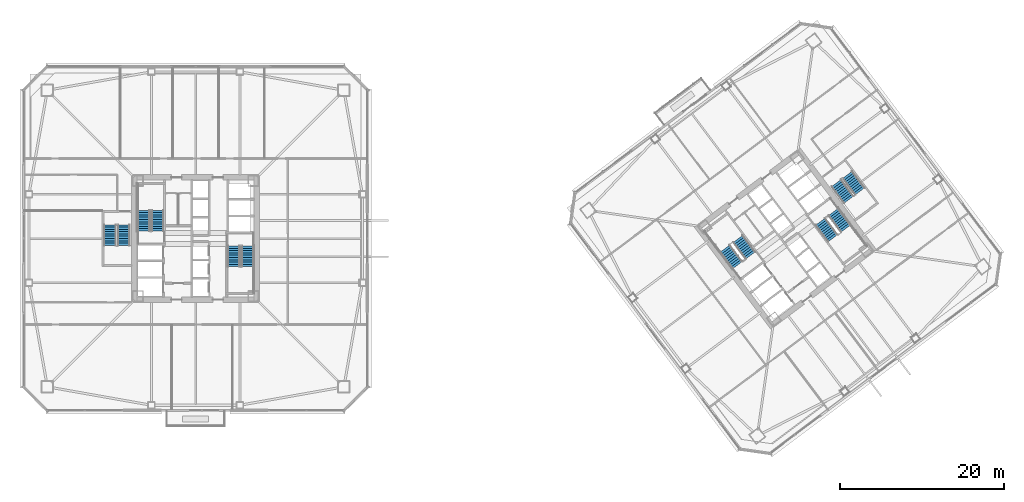
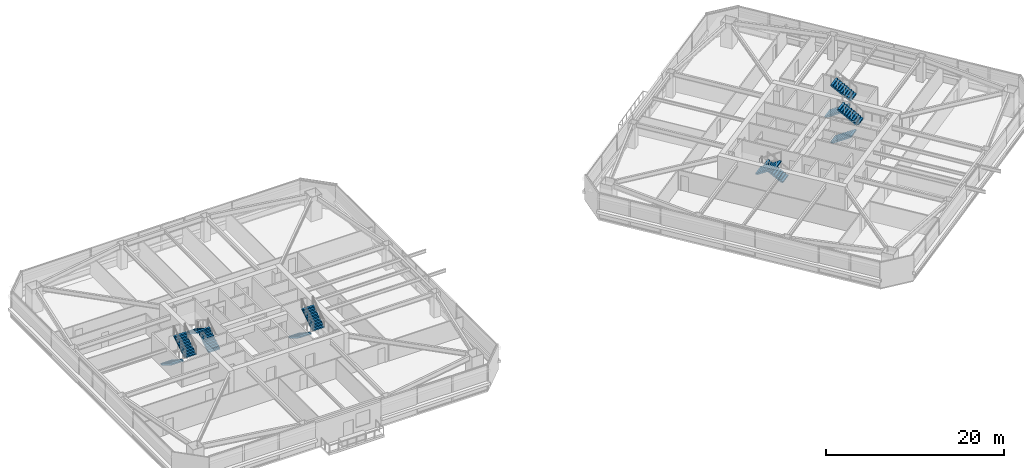
# One storey, part 37 of 44: 12 stair flights, 6 elements without a shape of their own.
"""IFC4 building model written with IfcOpenShell, lengths in metres."""

from ifc_helpers import new_model, si_unit, direction, frame, origin, place, context, subcontext, project, spatial, polyline, outline, extrude, material, type_object, element, aggregate, save


model = new_model("IFC4")

# Units and contexts
model_context = context("Model", 3, precision=1e-05, world=origin(), true_north=direction((0.0, 1.0)))
body_context = subcontext(model_context, "Body", "Model", "MODEL_VIEW")
ifc_project = project(units=[si_unit("LENGTHUNIT", "METRE"), si_unit("AREAUNIT", "SQUARE_METRE"), si_unit("VOLUMEUNIT", "CUBIC_METRE"), si_unit("PLANEANGLEUNIT", "RADIAN"), si_unit("MASSUNIT", "GRAM", prefix="KILO")], contexts=[model_context])

# Site, building, storey
site_placement = place(None, origin())
site = spatial("IfcSite", under=ifc_project, at=site_placement, CompositionType="ELEMENT")
building_placement = place(site_placement, origin())
building = spatial("IfcBuilding", under=site, at=building_placement, Name="Tashvorn Skyway Center", CompositionType="ELEMENT")
storey_placement = place(building_placement, frame((0.0, 0.0, 95.60009765625)))
storey = spatial("IfcBuildingStorey", under=building, at=storey_placement, Name="L25", CompositionType="ELEMENT", Elevation=95.60009765625)

# Stair, stair flights
ifc_material = material(Name="Concrete C40/50", Category="concrete")
stair_type = type_object("IfcStairType", Name="STAIR-CORE-1500", PredefinedType="HALF_TURN_STAIR", material=ifc_material)
stair_1_placement = place(storey_placement, origin())
stair_1 = element("IfcStair", 1, at=stair_1_placement, inside=storey, type_object=stair_type, Name="L25 Tower 1 Exit Stair 1", PredefinedType="HALF_TURN_STAIR")
stair_flight_type = type_object("IfcStairFlightType", Name="SFLIGHT-1500", PredefinedType="STRAIGHT", material=ifc_material)
stair_flight_1_placement = place(storey_placement, frame((37.35009765625, 32.919921875, 0.0), z_axis=(0.0, 0.0, 1.0), x_axis=(0.0, 1.0, 0.0)))
stair_flight_1 = element("IfcStairFlight", 2, at=stair_flight_1_placement, type_object=stair_flight_type, Name="ST-T1-1 flight 1", NumberOfRisers=10, NumberOfTreads=9, PredefinedType="STRAIGHT", RiserHeight=0.1775, TreadLength=0.28, context=body_context, shape_type="SweptSolid", body=[
    extrude(outline(polyline([(0.0, 0.0), (0.0, 0.177490234375), (0.280029296875, 0.177490234375), (0.280029296875, 0.35498046875), (0.56005859375, 0.35498046875), (0.56005859375, 0.532470703125), (0.840087890625, 0.532470703125), (0.840087890625, 0.7099609375), (1.1201171875, 0.7099609375), (1.1201171875, 0.887451171875), (1.39990234375, 0.887451171875), (1.39990234375, 1.06494140625), (1.679931640625, 1.06494140625), (1.679931640625, 1.242431640625), (1.9599609375, 1.242431640625), (1.9599609375, 1.419921875), (2.239990234375, 1.419921875), (2.239990234375, 1.597412109375), (2.52001953125, 1.597412109375), (2.52001953125, 1.77490234375), (2.52001953125, 1.419921875), (0.280029296875, 0.0), (0.0, 0.0)])), frame((0.0, 0.75, 0.0), z_axis=(0.0, -1.0, 0.0), x_axis=(1.0, 0.0, 0.0)), (0.0, 0.0, 1.0), 1.5),
])
stair_flight_2_placement = place(storey_placement, frame((35.64990234375, 35.43994140625, 1.77490234375), z_axis=(0.0, 0.0, 1.0), x_axis=(0.0, -1.0, 0.0)))
stair_flight_2 = element("IfcStairFlight", 3, at=stair_flight_2_placement, type_object=stair_flight_type, Name="ST-T1-1 flight 2", NumberOfRisers=10, NumberOfTreads=9, PredefinedType="STRAIGHT", RiserHeight=0.1775, TreadLength=0.28, context=body_context, shape_type="SweptSolid", body=[
    extrude(outline(polyline([(0.0, 0.0), (0.0, 0.177490234375), (0.280029296875, 0.177490234375), (0.280029296875, 0.35498046875), (0.56005859375, 0.35498046875), (0.56005859375, 0.532470703125), (0.840087890625, 0.532470703125), (0.840087890625, 0.7099609375), (1.1201171875, 0.7099609375), (1.1201171875, 0.887451171875), (1.39990234375, 0.887451171875), (1.39990234375, 1.06494140625), (1.679931640625, 1.06494140625), (1.679931640625, 1.242431640625), (1.9599609375, 1.242431640625), (1.9599609375, 1.419921875), (2.239990234375, 1.419921875), (2.239990234375, 1.597412109375), (2.52001953125, 1.597412109375), (2.52001953125, 1.77490234375), (2.52001953125, 1.419921875), (0.280029296875, 0.0), (0.0, 0.0)])), frame((0.0, 0.75, 0.0), z_axis=(0.0, -1.0, 0.0), x_axis=(1.0, 0.0, 0.0)), (0.0, 0.0, 1.0), 1.5),
])
aggregate(stair_1, [stair_flight_1, stair_flight_2])

stair_2_placement = place(storey_placement, origin())
stair_2 = element("IfcStair", 4, at=stair_2_placement, inside=storey, type_object=stair_type, Name="L25 Tower 1 Exit Stair 2", PredefinedType="HALF_TURN_STAIR")
stair_flight_3_placement = place(storey_placement, frame((46.64990234375, 31.080078125, 0.0), z_axis=(0.0, 0.0, 1.0), x_axis=(0.0, -1.0, 0.0)))
stair_flight_3 = element("IfcStairFlight", 5, at=stair_flight_3_placement, type_object=stair_flight_type, Name="ST-T1-2 flight 1", NumberOfRisers=10, NumberOfTreads=9, PredefinedType="STRAIGHT", RiserHeight=0.1775, TreadLength=0.28, context=body_context, shape_type="SweptSolid", body=[
    extrude(outline(polyline([(0.0, 0.0), (0.0, 0.177490234375), (0.280029296875, 0.177490234375), (0.280029296875, 0.35498046875), (0.56005859375, 0.35498046875), (0.56005859375, 0.532470703125), (0.840087890625, 0.532470703125), (0.840087890625, 0.7099609375), (1.1201171875, 0.7099609375), (1.1201171875, 0.887451171875), (1.39990234375, 0.887451171875), (1.39990234375, 1.06494140625), (1.679931640625, 1.06494140625), (1.679931640625, 1.242431640625), (1.9599609375, 1.242431640625), (1.9599609375, 1.419921875), (2.239990234375, 1.419921875), (2.239990234375, 1.597412109375), (2.52001953125, 1.597412109375), (2.52001953125, 1.77490234375), (2.52001953125, 1.419921875), (0.280029296875, 0.0), (0.0, 0.0)])), frame((0.0, 0.75, 0.0), z_axis=(0.0, -1.0, 0.0), x_axis=(1.0, 0.0, 0.0)), (0.0, 0.0, 1.0), 1.5),
])
stair_flight_4_placement = place(storey_placement, frame((48.35009765625, 28.56005859375, 1.77490234375), z_axis=(0.0, 0.0, 1.0), x_axis=(0.0, 1.0, 0.0)))
stair_flight_4 = element("IfcStairFlight", 6, at=stair_flight_4_placement, type_object=stair_flight_type, Name="ST-T1-2 flight 2", NumberOfRisers=10, NumberOfTreads=9, PredefinedType="STRAIGHT", RiserHeight=0.1775, TreadLength=0.28, context=body_context, shape_type="SweptSolid", body=[
    extrude(outline(polyline([(0.0, 0.0), (0.0, 0.177490234375), (0.280029296875, 0.177490234375), (0.280029296875, 0.35498046875), (0.56005859375, 0.35498046875), (0.56005859375, 0.532470703125), (0.840087890625, 0.532470703125), (0.840087890625, 0.7099609375), (1.1201171875, 0.7099609375), (1.1201171875, 0.887451171875), (1.39990234375, 0.887451171875), (1.39990234375, 1.06494140625), (1.679931640625, 1.06494140625), (1.679931640625, 1.242431640625), (1.9599609375, 1.242431640625), (1.9599609375, 1.419921875), (2.239990234375, 1.419921875), (2.239990234375, 1.597412109375), (2.52001953125, 1.597412109375), (2.52001953125, 1.77490234375), (2.52001953125, 1.419921875), (0.280029296875, 0.0), (0.0, 0.0)])), frame((0.0, 0.75, 0.0), z_axis=(0.0, -1.0, 0.0), x_axis=(1.0, 0.0, 0.0)), (0.0, 0.0, 1.0), 1.5),
])
aggregate(stair_2, [stair_flight_3, stair_flight_4])

stair_3_placement = place(storey_placement, origin())
stair_3 = element("IfcStair", 7, at=stair_3_placement, inside=storey, type_object=stair_type, Name="L25 Tower 2 Exit Stair 1", PredefinedType="HALF_TURN_STAIR")
stair_flight_5_placement = place(storey_placement, frame((109.72802734375, 29.946044921875, 0.0), z_axis=(0.0, 0.0, 1.0), x_axis=(-0.600000004945, 0.799999996291, 0.0)))
stair_flight_5 = element("IfcStairFlight", 8, at=stair_flight_5_placement, type_object=stair_flight_type, Name="ST-T2-1 flight 1", NumberOfRisers=10, NumberOfTreads=9, PredefinedType="STRAIGHT", RiserHeight=0.1775, TreadLength=0.28, context=body_context, shape_type="SweptSolid", body=[
    extrude(outline(polyline([(0.0, 0.0), (0.0, 0.177490234375), (0.280029296875, 0.177490234375), (0.280029296875, 0.35498046875), (0.56005859375, 0.35498046875), (0.56005859375, 0.532470703125), (0.840087890625, 0.532470703125), (0.840087890625, 0.7099609375), (1.1201171875, 0.7099609375), (1.1201171875, 0.887451171875), (1.39990234375, 0.887451171875), (1.39990234375, 1.06494140625), (1.679931640625, 1.06494140625), (1.679931640625, 1.242431640625), (1.9599609375, 1.242431640625), (1.9599609375, 1.419921875), (2.239990234375, 1.419921875), (2.239990234375, 1.597412109375), (2.52001953125, 1.597412109375), (2.52001953125, 1.77490234375), (2.52001953125, 1.419921875), (0.280029296875, 0.0), (0.0, 0.0)])), frame((0.0, 0.75, 0.0), z_axis=(0.0, -1.0, 0.0), x_axis=(1.0, 0.0, 0.0)), (0.0, 0.0, 1.0), 1.5),
])
stair_flight_6_placement = place(storey_placement, frame((106.632080078125, 30.77392578125, 1.77490234375), z_axis=(0.0, 0.0, 1.0), x_axis=(0.600000004945, -0.799999996291, 0.0)))
stair_flight_6 = element("IfcStairFlight", 9, at=stair_flight_6_placement, type_object=stair_flight_type, Name="ST-T2-1 flight 2", NumberOfRisers=10, NumberOfTreads=9, PredefinedType="STRAIGHT", RiserHeight=0.1775, TreadLength=0.28, context=body_context, shape_type="SweptSolid", body=[
    extrude(outline(polyline([(0.0, 0.0), (0.0, 0.177490234375), (0.280029296875, 0.177490234375), (0.280029296875, 0.35498046875), (0.56005859375, 0.35498046875), (0.56005859375, 0.532470703125), (0.840087890625, 0.532470703125), (0.840087890625, 0.7099609375), (1.1201171875, 0.7099609375), (1.1201171875, 0.887451171875), (1.39990234375, 0.887451171875), (1.39990234375, 1.06494140625), (1.679931640625, 1.06494140625), (1.679931640625, 1.242431640625), (1.9599609375, 1.242431640625), (1.9599609375, 1.419921875), (2.239990234375, 1.419921875), (2.239990234375, 1.597412109375), (2.52001953125, 1.597412109375), (2.52001953125, 1.77490234375), (2.52001953125, 1.419921875), (0.280029296875, 0.0), (0.0, 0.0)])), frame((0.0, 0.75, 0.0), z_axis=(0.0, -1.0, 0.0), x_axis=(1.0, 0.0, 0.0)), (0.0, 0.0, 1.0), 1.5),
])
aggregate(stair_3, [stair_flight_5, stair_flight_6])

stair_4_placement = place(storey_placement, origin())
stair_4 = element("IfcStair", 10, at=stair_4_placement, inside=storey, type_object=stair_type, Name="L25 Tower 2 Exit Stair 2", PredefinedType="HALF_TURN_STAIR")
stair_flight_7_placement = place(storey_placement, frame((118.27197265625, 34.053955078125, 0.0), z_axis=(0.0, 0.0, 1.0), x_axis=(0.600000004945, -0.799999996291, 0.0)))
stair_flight_7 = element("IfcStairFlight", 11, at=stair_flight_7_placement, type_object=stair_flight_type, Name="ST-T2-2 flight 1", NumberOfRisers=10, NumberOfTreads=9, PredefinedType="STRAIGHT", RiserHeight=0.1775, TreadLength=0.28, context=body_context, shape_type="SweptSolid", body=[
    extrude(outline(polyline([(0.0, 0.0), (0.0, 0.177490234375), (0.280029296875, 0.177490234375), (0.280029296875, 0.35498046875), (0.56005859375, 0.35498046875), (0.56005859375, 0.532470703125), (0.840087890625, 0.532470703125), (0.840087890625, 0.7099609375), (1.1201171875, 0.7099609375), (1.1201171875, 0.887451171875), (1.39990234375, 0.887451171875), (1.39990234375, 1.06494140625), (1.679931640625, 1.06494140625), (1.679931640625, 1.242431640625), (1.9599609375, 1.242431640625), (1.9599609375, 1.419921875), (2.239990234375, 1.419921875), (2.239990234375, 1.597412109375), (2.52001953125, 1.597412109375), (2.52001953125, 1.77490234375), (2.52001953125, 1.419921875), (0.280029296875, 0.0), (0.0, 0.0)])), frame((0.0, 0.75, 0.0), z_axis=(0.0, -1.0, 0.0), x_axis=(1.0, 0.0, 0.0)), (0.0, 0.0, 1.0), 1.5),
])
stair_flight_8_placement = place(storey_placement, frame((121.367919921875, 33.22607421875, 1.77490234375), z_axis=(0.0, 0.0, 1.0), x_axis=(-0.600000004945, 0.799999996291, 0.0)))
stair_flight_8 = element("IfcStairFlight", 12, at=stair_flight_8_placement, type_object=stair_flight_type, Name="ST-T2-2 flight 2", NumberOfRisers=10, NumberOfTreads=9, PredefinedType="STRAIGHT", RiserHeight=0.1775, TreadLength=0.28, context=body_context, shape_type="SweptSolid", body=[
    extrude(outline(polyline([(0.0, 0.0), (0.0, 0.177490234375), (0.280029296875, 0.177490234375), (0.280029296875, 0.35498046875), (0.56005859375, 0.35498046875), (0.56005859375, 0.532470703125), (0.840087890625, 0.532470703125), (0.840087890625, 0.7099609375), (1.1201171875, 0.7099609375), (1.1201171875, 0.887451171875), (1.39990234375, 0.887451171875), (1.39990234375, 1.06494140625), (1.679931640625, 1.06494140625), (1.679931640625, 1.242431640625), (1.9599609375, 1.242431640625), (1.9599609375, 1.419921875), (2.239990234375, 1.419921875), (2.239990234375, 1.597412109375), (2.52001953125, 1.597412109375), (2.52001953125, 1.77490234375), (2.52001953125, 1.419921875), (0.280029296875, 0.0), (0.0, 0.0)])), frame((0.0, 0.75, 0.0), z_axis=(0.0, -1.0, 0.0), x_axis=(1.0, 0.0, 0.0)), (0.0, 0.0, 1.0), 1.5),
])
aggregate(stair_4, [stair_flight_7, stair_flight_8])

stair_5_placement = place(storey_placement, origin())
stair_5 = element("IfcStair", 13, at=stair_5_placement, inside=storey, type_object=stair_type, Name="L25 Tower 1 Exit Stair 3", PredefinedType="HALF_TURN_STAIR")
stair_flight_9_placement = place(storey_placement, frame((31.550048828125, 33.679931640625, 0.0), z_axis=(0.0, 0.0, 1.0), x_axis=(0.0, -1.0, 0.0)))
stair_flight_9 = element("IfcStairFlight", 14, at=stair_flight_9_placement, type_object=stair_flight_type, Name="ST-T1-3 flight 1", NumberOfRisers=10, NumberOfTreads=9, PredefinedType="STRAIGHT", RiserHeight=0.1775, TreadLength=0.28, context=body_context, shape_type="SweptSolid", body=[
    extrude(outline(polyline([(0.0, 0.0), (0.0, 0.177490234375), (0.280029296875, 0.177490234375), (0.280029296875, 0.35498046875), (0.56005859375, 0.35498046875), (0.56005859375, 0.532470703125), (0.840087890625, 0.532470703125), (0.840087890625, 0.7099609375), (1.1201171875, 0.7099609375), (1.1201171875, 0.887451171875), (1.39990234375, 0.887451171875), (1.39990234375, 1.06494140625), (1.679931640625, 1.06494140625), (1.679931640625, 1.242431640625), (1.9599609375, 1.242431640625), (1.9599609375, 1.419921875), (2.239990234375, 1.419921875), (2.239990234375, 1.597412109375), (2.52001953125, 1.597412109375), (2.52001953125, 1.77490234375), (2.52001953125, 1.419921875), (0.280029296875, 0.0), (0.0, 0.0)])), frame((0.0, 0.75, 0.0), z_axis=(0.0, -1.0, 0.0), x_axis=(1.0, 0.0, 0.0)), (0.0, 0.0, 1.0), 1.5),
])
stair_flight_10_placement = place(storey_placement, frame((33.25, 31.159912109375, 1.77490234375), z_axis=(0.0, 0.0, 1.0), x_axis=(0.0, 1.0, 0.0)))
stair_flight_10 = element("IfcStairFlight", 15, at=stair_flight_10_placement, type_object=stair_flight_type, Name="ST-T1-3 flight 2", NumberOfRisers=10, NumberOfTreads=9, PredefinedType="STRAIGHT", RiserHeight=0.1775, TreadLength=0.28, context=body_context, shape_type="SweptSolid", body=[
    extrude(outline(polyline([(0.0, 0.0), (0.0, 0.177490234375), (0.280029296875, 0.177490234375), (0.280029296875, 0.35498046875), (0.56005859375, 0.35498046875), (0.56005859375, 0.532470703125), (0.840087890625, 0.532470703125), (0.840087890625, 0.7099609375), (1.1201171875, 0.7099609375), (1.1201171875, 0.887451171875), (1.39990234375, 0.887451171875), (1.39990234375, 1.06494140625), (1.679931640625, 1.06494140625), (1.679931640625, 1.242431640625), (1.9599609375, 1.242431640625), (1.9599609375, 1.419921875), (2.239990234375, 1.419921875), (2.239990234375, 1.597412109375), (2.52001953125, 1.597412109375), (2.52001953125, 1.77490234375), (2.52001953125, 1.419921875), (0.280029296875, 0.0), (0.0, 0.0)])), frame((0.0, 0.75, 0.0), z_axis=(0.0, -1.0, 0.0), x_axis=(1.0, 0.0, 0.0)), (0.0, 0.0, 1.0), 1.5),
])
aggregate(stair_5, [stair_flight_9, stair_flight_10])

stair_6_placement = place(storey_placement, origin())
stair_6 = element("IfcStair", 16, at=stair_6_placement, inside=storey, type_object=stair_type, Name="L25 Tower 2 Exit Stair 3", PredefinedType="HALF_TURN_STAIR")
stair_flight_11_placement = place(storey_placement, frame((120.216064453125, 38.761962890625, 0.0), z_axis=(0.0, 0.0, 1.0), x_axis=(0.600000004945, -0.799999996291, 0.0)))
stair_flight_11 = element("IfcStairFlight", 17, at=stair_flight_11_placement, type_object=stair_flight_type, Name="ST-T2-3 flight 1", NumberOfRisers=10, NumberOfTreads=9, PredefinedType="STRAIGHT", RiserHeight=0.1775, TreadLength=0.28, context=body_context, shape_type="SweptSolid", body=[
    extrude(outline(polyline([(0.0, 0.0), (0.0, 0.177490234375), (0.280029296875, 0.177490234375), (0.280029296875, 0.35498046875), (0.56005859375, 0.35498046875), (0.56005859375, 0.532470703125), (0.840087890625, 0.532470703125), (0.840087890625, 0.7099609375), (1.1201171875, 0.7099609375), (1.1201171875, 0.887451171875), (1.39990234375, 0.887451171875), (1.39990234375, 1.06494140625), (1.679931640625, 1.06494140625), (1.679931640625, 1.242431640625), (1.9599609375, 1.242431640625), (1.9599609375, 1.419921875), (2.239990234375, 1.419921875), (2.239990234375, 1.597412109375), (2.52001953125, 1.597412109375), (2.52001953125, 1.77490234375), (2.52001953125, 1.419921875), (0.280029296875, 0.0), (0.0, 0.0)])), frame((0.0, 0.75, 0.0), z_axis=(0.0, -1.0, 0.0), x_axis=(1.0, 0.0, 0.0)), (0.0, 0.0, 1.0), 1.5),
])
stair_flight_12_placement = place(storey_placement, frame((123.087890625, 37.76611328125, 1.77490234375), z_axis=(0.0, 0.0, 1.0), x_axis=(-0.600000004945, 0.799999996291, 0.0)))
stair_flight_12 = element("IfcStairFlight", 18, at=stair_flight_12_placement, type_object=stair_flight_type, Name="ST-T2-3 flight 2", NumberOfRisers=10, NumberOfTreads=9, PredefinedType="STRAIGHT", RiserHeight=0.1775, TreadLength=0.28, context=body_context, shape_type="SweptSolid", body=[
    extrude(outline(polyline([(0.0, 0.0), (0.0, 0.177490234375), (0.280029296875, 0.177490234375), (0.280029296875, 0.35498046875), (0.56005859375, 0.35498046875), (0.56005859375, 0.532470703125), (0.840087890625, 0.532470703125), (0.840087890625, 0.7099609375), (1.1201171875, 0.7099609375), (1.1201171875, 0.887451171875), (1.39990234375, 0.887451171875), (1.39990234375, 1.06494140625), (1.679931640625, 1.06494140625), (1.679931640625, 1.242431640625), (1.9599609375, 1.242431640625), (1.9599609375, 1.419921875), (2.239990234375, 1.419921875), (2.239990234375, 1.597412109375), (2.52001953125, 1.597412109375), (2.52001953125, 1.77490234375), (2.52001953125, 1.419921875), (0.280029296875, 0.0), (0.0, 0.0)])), frame((0.0, 0.75, 0.0), z_axis=(0.0, -1.0, 0.0), x_axis=(1.0, 0.0, 0.0)), (0.0, 0.0, 1.0), 1.5),
])
aggregate(stair_6, [stair_flight_11, stair_flight_12])

save(model, "model.ifc")
